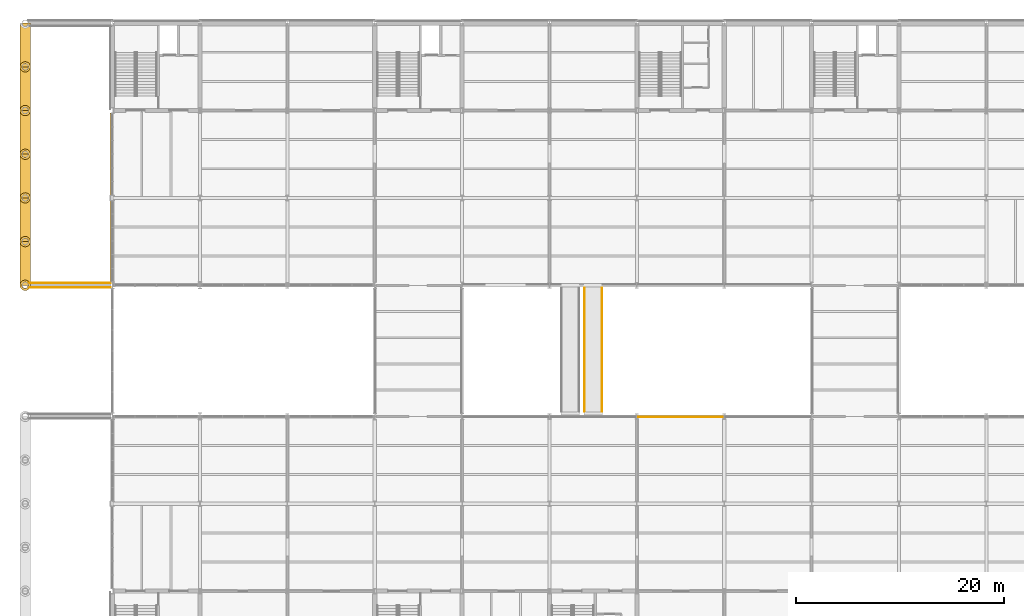
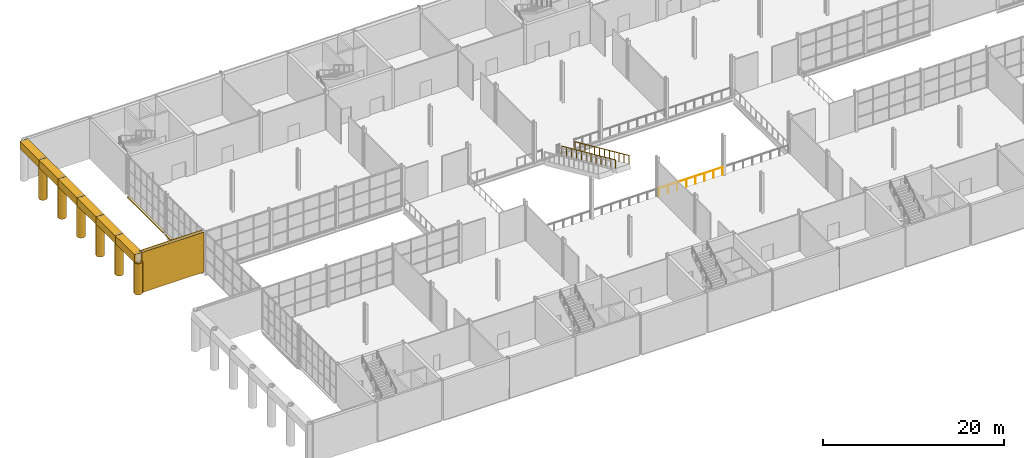
# One storey, part 50 of 64: 16 coverings, 3 railings.
"""IFC4 building model written with IfcOpenShell, lengths in metres."""

from ifc_helpers import new_model, si_unit, direction, frame, origin, origin_2d, place, context, subcontext, project, spatial, polyline, rectangle, circle, outline, extrude, material, layer, layer_set, type_object, element, save


model = new_model("IFC4")

# Units and contexts
model_context = context("Model", 3, precision=1e-05, world=origin(), true_north=direction((0.0, 1.0)))
body_context = subcontext(model_context, "Body", "Model", "MODEL_VIEW")
ifc_project = project(units=[si_unit("LENGTHUNIT", "METRE"), si_unit("AREAUNIT", "SQUARE_METRE"), si_unit("VOLUMEUNIT", "CUBIC_METRE"), si_unit("PLANEANGLEUNIT", "RADIAN"), si_unit("MASSUNIT", "GRAM", prefix="KILO")], contexts=[model_context])

# Site, building, storey
site_placement = place(None, origin())
site = spatial("IfcSite", under=ifc_project, at=site_placement, CompositionType="ELEMENT")
building_placement = place(site_placement, origin())
building = spatial("IfcBuilding", under=site, at=building_placement, Name="Galleria Vessillo Department Store", CompositionType="ELEMENT")
storey_placement = place(building_placement, frame((0.0, 0.0, 6.0)))
storey = spatial("IfcBuildingStorey", under=building, at=storey_placement, Name="L01", CompositionType="ELEMENT", Elevation=6.0)

# Railings
ifc_material_1 = material(Name="Stainless steel tube", Category="steel")
railing_type_1 = type_object("IfcRailingType", Name="Atrium edge guard 1100 mm", PredefinedType="GUARDRAIL", material=ifc_material_1)
railing_1_placement = place(storey_placement, frame((58.952880859375, 25.119873046875, 0.0)))
element("IfcRailing", 1, at=railing_1_placement, inside=storey, type_object=railing_type_1, Name="Atrium edge guard L01-03", PredefinedType="GUARDRAIL", context=body_context, shape_type="SweptSolid", body=[
    extrude(circle(Radius=0.02392578125, at=origin_2d()), frame((0.0, 0.0, 1.076171875), z_axis=(1.0, 0.0, 0.0), x_axis=(0.0, 1.0, 0.0)), (0.0, 0.0, 1.0), 8.09423828125),
    extrude(circle(Radius=0.02099609375, at=origin_2d()), origin(), (0.0, 0.0, 1.0), 1.052001953125),
    extrude(circle(Radius=0.02099609375, at=origin_2d()), frame((1.15625, 0.0, 0.0)), (0.0, 0.0, 1.0), 1.052001953125),
    extrude(circle(Radius=0.02099609375, at=origin_2d()), frame((2.312744140625, 0.0, 0.0)), (0.0, 0.0, 1.0), 1.052001953125),
    extrude(circle(Radius=0.02099609375, at=origin_2d()), frame((3.468994140625, 0.0, 0.0)), (0.0, 0.0, 1.0), 1.052001953125),
    extrude(circle(Radius=0.02099609375, at=origin_2d()), frame((4.625244140625, 0.0, 0.0)), (0.0, 0.0, 1.0), 1.052001953125),
    extrude(circle(Radius=0.02099609375, at=origin_2d()), frame((5.781494140625, 0.0, 0.0)), (0.0, 0.0, 1.0), 1.052001953125),
    extrude(circle(Radius=0.02099609375, at=origin_2d()), frame((6.93798828125, 0.0, 0.0)), (0.0, 0.0, 1.0), 1.052001953125),
    extrude(circle(Radius=0.02099609375, at=origin_2d()), frame((8.09423828125, 0.0, 0.0)), (0.0, 0.0, 1.0), 1.052001953125),
])
ifc_material_2 = material(Name="Glass laminated 44.2", Category="glass")
railing_type_2 = type_object("IfcRailingType", Name="Escalator balustrade glass 1150 mm", PredefinedType="BALUSTRADE", material=ifc_material_2)
railing_2_placement = place(storey_placement, frame((53.75, 37.558837890625, -0.120849609375)))
element("IfcRailing", 2, at=railing_2_placement, inside=storey, type_object=railing_type_2, Name="Escalator balustrade ES4 W", PredefinedType="BALUSTRADE", context=body_context, shape_type="SweptSolid", body=[
    extrude(circle(Radius=0.02392578125, at=origin_2d()), frame((0.0, 0.0, 1.1259765625), z_axis=(0.0, -0.911723525032, 0.410804349908), x_axis=(1.0, 0.0, 0.0)), (0.0, 0.0, 1.0), 13.0205078125),
    extrude(circle(Radius=0.02099609375, at=origin_2d()), origin(), (0.0, 0.0, 1.0), 1.101806640625),
    extrude(circle(Radius=0.02099609375, at=origin_2d()), frame((0.0, -1.0791015625, 0.486328125)), (0.0, 0.0, 1.0), 1.101806640625),
    extrude(circle(Radius=0.02099609375, at=origin_2d()), frame((0.0, -2.158447265625, 0.972412109375)), (0.0, 0.0, 1.0), 1.101806640625),
    extrude(circle(Radius=0.02099609375, at=origin_2d()), frame((0.0, -3.237548828125, 1.458740234375)), (0.0, 0.0, 1.0), 1.101806640625),
    extrude(circle(Radius=0.02099609375, at=origin_2d()), frame((0.0, -4.316650390625, 1.945068359375)), (0.0, 0.0, 1.0), 1.101806640625),
    extrude(circle(Radius=0.02099609375, at=origin_2d()), frame((0.0, -5.39599609375, 2.431396484375)), (0.0, 0.0, 1.0), 1.101806640625),
    extrude(circle(Radius=0.02099609375, at=origin_2d()), frame((0.0, -6.47509765625, 2.91748046875)), (0.0, 0.0, 1.0), 1.101806640625),
    extrude(circle(Radius=0.02099609375, at=origin_2d()), frame((0.0, -7.554443359375, 3.40380859375)), (0.0, 0.0, 1.0), 1.101806640625),
    extrude(circle(Radius=0.02099609375, at=origin_2d()), frame((0.0, -8.633544921875, 3.89013671875)), (0.0, 0.0, 1.0), 1.101806640625),
    extrude(circle(Radius=0.02099609375, at=origin_2d()), frame((0.0, -9.712646484375, 4.37646484375)), (0.0, 0.0, 1.0), 1.101806640625),
    extrude(circle(Radius=0.02099609375, at=origin_2d()), frame((0.0, -10.7919921875, 4.862548828125)), (0.0, 0.0, 1.0), 1.101806640625),
    extrude(circle(Radius=0.02099609375, at=origin_2d()), frame((0.0, -11.87109375, 5.348876953125)), (0.0, 0.0, 1.0), 1.101806640625),
])
railing_3_placement = place(storey_placement, frame((55.4501953125, 37.558837890625, -0.120849609375)))
element("IfcRailing", 3, at=railing_3_placement, inside=storey, type_object=railing_type_2, Name="Escalator balustrade ES4 E", PredefinedType="BALUSTRADE", context=body_context, shape_type="SweptSolid", body=[
    extrude(circle(Radius=0.02392578125, at=origin_2d()), frame((0.0, 0.0, 1.1259765625), z_axis=(0.0, -0.911723525032, 0.410804349908), x_axis=(1.0, 0.0, 0.0)), (0.0, 0.0, 1.0), 13.0205078125),
    extrude(circle(Radius=0.02099609375, at=origin_2d()), origin(), (0.0, 0.0, 1.0), 1.101806640625),
    extrude(circle(Radius=0.02099609375, at=origin_2d()), frame((0.0, -1.0791015625, 0.486328125)), (0.0, 0.0, 1.0), 1.101806640625),
    extrude(circle(Radius=0.02099609375, at=origin_2d()), frame((0.0, -2.158447265625, 0.972412109375)), (0.0, 0.0, 1.0), 1.101806640625),
    extrude(circle(Radius=0.02099609375, at=origin_2d()), frame((0.0, -3.237548828125, 1.458740234375)), (0.0, 0.0, 1.0), 1.101806640625),
    extrude(circle(Radius=0.02099609375, at=origin_2d()), frame((0.0, -4.316650390625, 1.945068359375)), (0.0, 0.0, 1.0), 1.101806640625),
    extrude(circle(Radius=0.02099609375, at=origin_2d()), frame((0.0, -5.39599609375, 2.431396484375)), (0.0, 0.0, 1.0), 1.101806640625),
    extrude(circle(Radius=0.02099609375, at=origin_2d()), frame((0.0, -6.47509765625, 2.91748046875)), (0.0, 0.0, 1.0), 1.101806640625),
    extrude(circle(Radius=0.02099609375, at=origin_2d()), frame((0.0, -7.554443359375, 3.40380859375)), (0.0, 0.0, 1.0), 1.101806640625),
    extrude(circle(Radius=0.02099609375, at=origin_2d()), frame((0.0, -8.633544921875, 3.89013671875)), (0.0, 0.0, 1.0), 1.101806640625),
    extrude(circle(Radius=0.02099609375, at=origin_2d()), frame((0.0, -9.712646484375, 4.37646484375)), (0.0, 0.0, 1.0), 1.101806640625),
    extrude(circle(Radius=0.02099609375, at=origin_2d()), frame((0.0, -10.7919921875, 4.862548828125)), (0.0, 0.0, 1.0), 1.101806640625),
    extrude(circle(Radius=0.02099609375, at=origin_2d()), frame((0.0, -11.87109375, 5.348876953125)), (0.0, 0.0, 1.0), 1.101806640625),
])

# Coverings
ifc_material_3 = material(Name="Botticino limestone ashlar", Category="masonry")
ifc_layer_1 = layer(ifc_material_3, 0.195068359375)
ifc_layer_set_1 = layer_set([ifc_layer_1], Name="Botticino limestone ashlar")
covering_type_1 = type_object("IfcCoveringType", Name="Limestone column drum cladding 1000 mm", PredefinedType="CLADDING", material=ifc_layer_set_1)
covering_1_placement = place(storey_placement, origin())
element("IfcCovering", 4, at=covering_1_placement, inside=storey, type_object=covering_type_1, Name="Column drum cladding L01 y=37.8", PredefinedType="CLADDING", context=body_context, shape_type="SweptSolid", body=[
    extrude(outline(polyline([(0.5, 37.800048828125), (0.49560546875, 37.865234375), (0.48291015625, 37.929443359375), (0.4619140625, 37.991455078125), (0.43310546875, 38.050048828125), (0.396728515625, 38.1044921875), (0.353515625, 38.153564453125), (0.304443359375, 38.19677734375), (0.25, 38.233154296875), (0.19140625, 38.261962890625), (0.12939453125, 38.282958984375), (0.065185546875, 38.295654296875), (0.0, 38.300048828125), (-0.065185546875, 38.295654296875), (-0.12939453125, 38.282958984375), (-0.19140625, 38.261962890625), (-0.25, 38.233154296875), (-0.304443359375, 38.19677734375), (-0.353515625, 38.153564453125), (-0.396728515625, 38.1044921875), (-0.43310546875, 38.050048828125), (-0.4619140625, 37.991455078125), (-0.48291015625, 37.929443359375), (-0.49560546875, 37.865234375), (-0.5, 37.800048828125), (-0.49560546875, 37.73486328125), (-0.48291015625, 37.670654296875), (-0.4619140625, 37.608642578125), (-0.43310546875, 37.550048828125), (-0.396728515625, 37.49560546875), (-0.353515625, 37.446533203125), (-0.304443359375, 37.4033203125), (-0.25, 37.366943359375), (-0.19140625, 37.338134765625), (-0.12939453125, 37.317138671875), (-0.065185546875, 37.304443359375), (0.0, 37.300048828125), (0.065185546875, 37.304443359375), (0.12939453125, 37.317138671875), (0.19140625, 37.338134765625), (0.25, 37.366943359375), (0.304443359375, 37.4033203125), (0.353515625, 37.446533203125), (0.396728515625, 37.49560546875), (0.43310546875, 37.550048828125), (0.4619140625, 37.608642578125), (0.48291015625, 37.670654296875), (0.49560546875, 37.73486328125), (0.5, 37.800048828125)]), holes=[polyline([(0.3056640625, 37.800048828125), (0.302978515625, 37.83984375), (0.295166015625, 37.879150390625), (0.282470703125, 37.9169921875), (0.2646484375, 37.952880859375), (0.242431640625, 37.986083984375), (0.216064453125, 38.01611328125), (0.18603515625, 38.04248046875), (0.15283203125, 38.064697265625), (0.116943359375, 38.08251953125), (0.0791015625, 38.09521484375), (0.039794921875, 38.10302734375), (0.0, 38.105712890625), (-0.039794921875, 38.10302734375), (-0.0791015625, 38.09521484375), (-0.116943359375, 38.08251953125), (-0.15283203125, 38.064697265625), (-0.18603515625, 38.04248046875), (-0.216064453125, 38.01611328125), (-0.242431640625, 37.986083984375), (-0.2646484375, 37.952880859375), (-0.282470703125, 37.9169921875), (-0.295166015625, 37.879150390625), (-0.302978515625, 37.83984375), (-0.3056640625, 37.800048828125), (-0.302978515625, 37.76025390625), (-0.295166015625, 37.720947265625), (-0.282470703125, 37.68310546875), (-0.2646484375, 37.647216796875), (-0.242431640625, 37.614013671875), (-0.216064453125, 37.583984375), (-0.18603515625, 37.5576171875), (-0.15283203125, 37.535400390625), (-0.116943359375, 37.517578125), (-0.0791015625, 37.5048828125), (-0.039794921875, 37.4970703125), (0.0, 37.494384765625), (0.039794921875, 37.4970703125), (0.0791015625, 37.5048828125), (0.116943359375, 37.517578125), (0.15283203125, 37.535400390625), (0.18603515625, 37.5576171875), (0.216064453125, 37.583984375), (0.242431640625, 37.614013671875), (0.2646484375, 37.647216796875), (0.282470703125, 37.68310546875), (0.295166015625, 37.720947265625), (0.302978515625, 37.76025390625), (0.3056640625, 37.800048828125)])]), origin(), (0.0, 0.0, 1.0), 4.199951171875),
])
covering_2_placement = place(storey_placement, origin())
element("IfcCovering", 5, at=covering_2_placement, inside=storey, type_object=covering_type_1, Name="Column drum cladding L01 y=42.0", PredefinedType="CLADDING", context=body_context, shape_type="SweptSolid", body=[
    extrude(outline(polyline([(0.5, 42.0), (0.49560546875, 42.065185546875), (0.48291015625, 42.12939453125), (0.4619140625, 42.19140625), (0.43310546875, 42.25), (0.396728515625, 42.304443359375), (0.353515625, 42.353515625), (0.304443359375, 42.396728515625), (0.25, 42.43310546875), (0.19140625, 42.4619140625), (0.12939453125, 42.48291015625), (0.065185546875, 42.49560546875), (0.0, 42.5), (-0.065185546875, 42.49560546875), (-0.12939453125, 42.48291015625), (-0.19140625, 42.4619140625), (-0.25, 42.43310546875), (-0.304443359375, 42.396728515625), (-0.353515625, 42.353515625), (-0.396728515625, 42.304443359375), (-0.43310546875, 42.25), (-0.4619140625, 42.19140625), (-0.48291015625, 42.12939453125), (-0.49560546875, 42.065185546875), (-0.5, 42.0), (-0.49560546875, 41.934814453125), (-0.48291015625, 41.87060546875), (-0.4619140625, 41.80859375), (-0.43310546875, 41.75), (-0.396728515625, 41.695556640625), (-0.353515625, 41.646484375), (-0.304443359375, 41.603271484375), (-0.25, 41.56689453125), (-0.19140625, 41.5380859375), (-0.12939453125, 41.51708984375), (-0.065185546875, 41.50439453125), (0.0, 41.5), (0.065185546875, 41.50439453125), (0.12939453125, 41.51708984375), (0.19140625, 41.5380859375), (0.25, 41.56689453125), (0.304443359375, 41.603271484375), (0.353515625, 41.646484375), (0.396728515625, 41.695556640625), (0.43310546875, 41.75), (0.4619140625, 41.80859375), (0.48291015625, 41.87060546875), (0.49560546875, 41.934814453125), (0.5, 42.0)]), holes=[polyline([(0.3056640625, 42.0), (0.302978515625, 42.039794921875), (0.295166015625, 42.0791015625), (0.282470703125, 42.116943359375), (0.2646484375, 42.15283203125), (0.242431640625, 42.18603515625), (0.216064453125, 42.216064453125), (0.18603515625, 42.242431640625), (0.15283203125, 42.2646484375), (0.116943359375, 42.282470703125), (0.0791015625, 42.295166015625), (0.039794921875, 42.302978515625), (0.0, 42.3056640625), (-0.039794921875, 42.302978515625), (-0.0791015625, 42.295166015625), (-0.116943359375, 42.282470703125), (-0.15283203125, 42.2646484375), (-0.18603515625, 42.242431640625), (-0.216064453125, 42.216064453125), (-0.242431640625, 42.18603515625), (-0.2646484375, 42.15283203125), (-0.282470703125, 42.116943359375), (-0.295166015625, 42.0791015625), (-0.302978515625, 42.039794921875), (-0.3056640625, 42.0), (-0.302978515625, 41.960205078125), (-0.295166015625, 41.9208984375), (-0.282470703125, 41.883056640625), (-0.2646484375, 41.84716796875), (-0.242431640625, 41.81396484375), (-0.216064453125, 41.783935546875), (-0.18603515625, 41.757568359375), (-0.15283203125, 41.7353515625), (-0.116943359375, 41.717529296875), (-0.0791015625, 41.704833984375), (-0.039794921875, 41.697021484375), (0.0, 41.6943359375), (0.039794921875, 41.697021484375), (0.0791015625, 41.704833984375), (0.116943359375, 41.717529296875), (0.15283203125, 41.7353515625), (0.18603515625, 41.757568359375), (0.216064453125, 41.783935546875), (0.242431640625, 41.81396484375), (0.2646484375, 41.84716796875), (0.282470703125, 41.883056640625), (0.295166015625, 41.9208984375), (0.302978515625, 41.960205078125), (0.3056640625, 42.0)])]), origin(), (0.0, 0.0, 1.0), 4.199951171875),
])
covering_3_placement = place(storey_placement, origin())
element("IfcCovering", 6, at=covering_3_placement, inside=storey, type_object=covering_type_1, Name="Column drum cladding L01 y=46.2", PredefinedType="CLADDING", context=body_context, shape_type="SweptSolid", body=[
    extrude(outline(polyline([(0.5, 46.199951171875), (0.49560546875, 46.26513671875), (0.48291015625, 46.329345703125), (0.4619140625, 46.391357421875), (0.43310546875, 46.449951171875), (0.396728515625, 46.50439453125), (0.353515625, 46.553466796875), (0.304443359375, 46.5966796875), (0.25, 46.633056640625), (0.19140625, 46.661865234375), (0.12939453125, 46.682861328125), (0.065185546875, 46.695556640625), (0.0, 46.699951171875), (-0.065185546875, 46.695556640625), (-0.12939453125, 46.682861328125), (-0.19140625, 46.661865234375), (-0.25, 46.633056640625), (-0.304443359375, 46.5966796875), (-0.353515625, 46.553466796875), (-0.396728515625, 46.50439453125), (-0.43310546875, 46.449951171875), (-0.4619140625, 46.391357421875), (-0.48291015625, 46.329345703125), (-0.49560546875, 46.26513671875), (-0.5, 46.199951171875), (-0.49560546875, 46.134765625), (-0.48291015625, 46.070556640625), (-0.4619140625, 46.008544921875), (-0.43310546875, 45.949951171875), (-0.396728515625, 45.8955078125), (-0.353515625, 45.846435546875), (-0.304443359375, 45.80322265625), (-0.25, 45.766845703125), (-0.19140625, 45.738037109375), (-0.12939453125, 45.717041015625), (-0.065185546875, 45.704345703125), (0.0, 45.699951171875), (0.065185546875, 45.704345703125), (0.12939453125, 45.717041015625), (0.19140625, 45.738037109375), (0.25, 45.766845703125), (0.304443359375, 45.80322265625), (0.353515625, 45.846435546875), (0.396728515625, 45.8955078125), (0.43310546875, 45.949951171875), (0.4619140625, 46.008544921875), (0.48291015625, 46.070556640625), (0.49560546875, 46.134765625), (0.5, 46.199951171875)]), holes=[polyline([(0.3056640625, 46.199951171875), (0.302978515625, 46.23974609375), (0.295166015625, 46.279052734375), (0.282470703125, 46.31689453125), (0.2646484375, 46.352783203125), (0.242431640625, 46.385986328125), (0.216064453125, 46.416015625), (0.18603515625, 46.4423828125), (0.15283203125, 46.464599609375), (0.116943359375, 46.482421875), (0.0791015625, 46.4951171875), (0.039794921875, 46.5029296875), (0.0, 46.505615234375), (-0.039794921875, 46.5029296875), (-0.0791015625, 46.4951171875), (-0.116943359375, 46.482421875), (-0.15283203125, 46.464599609375), (-0.18603515625, 46.4423828125), (-0.216064453125, 46.416015625), (-0.242431640625, 46.385986328125), (-0.2646484375, 46.352783203125), (-0.282470703125, 46.31689453125), (-0.295166015625, 46.279052734375), (-0.302978515625, 46.23974609375), (-0.3056640625, 46.199951171875), (-0.302978515625, 46.16015625), (-0.295166015625, 46.120849609375), (-0.282470703125, 46.0830078125), (-0.2646484375, 46.047119140625), (-0.242431640625, 46.013916015625), (-0.216064453125, 45.98388671875), (-0.18603515625, 45.95751953125), (-0.15283203125, 45.935302734375), (-0.116943359375, 45.91748046875), (-0.0791015625, 45.90478515625), (-0.039794921875, 45.89697265625), (0.0, 45.894287109375), (0.039794921875, 45.89697265625), (0.0791015625, 45.90478515625), (0.116943359375, 45.91748046875), (0.15283203125, 45.935302734375), (0.18603515625, 45.95751953125), (0.216064453125, 45.98388671875), (0.242431640625, 46.013916015625), (0.2646484375, 46.047119140625), (0.282470703125, 46.0830078125), (0.295166015625, 46.120849609375), (0.302978515625, 46.16015625), (0.3056640625, 46.199951171875)])]), origin(), (0.0, 0.0, 1.0), 4.199951171875),
])
covering_4_placement = place(storey_placement, origin())
element("IfcCovering", 7, at=covering_4_placement, inside=storey, type_object=covering_type_1, Name="Column drum cladding L01 y=50.4", PredefinedType="CLADDING", context=body_context, shape_type="SweptSolid", body=[
    extrude(outline(polyline([(0.5, 50.39990234375), (0.49560546875, 50.465087890625), (0.48291015625, 50.529296875), (0.4619140625, 50.59130859375), (0.43310546875, 50.64990234375), (0.396728515625, 50.704345703125), (0.353515625, 50.75341796875), (0.304443359375, 50.796630859375), (0.25, 50.8330078125), (0.19140625, 50.86181640625), (0.12939453125, 50.8828125), (0.065185546875, 50.8955078125), (0.0, 50.89990234375), (-0.065185546875, 50.8955078125), (-0.12939453125, 50.8828125), (-0.19140625, 50.86181640625), (-0.25, 50.8330078125), (-0.304443359375, 50.796630859375), (-0.353515625, 50.75341796875), (-0.396728515625, 50.704345703125), (-0.43310546875, 50.64990234375), (-0.4619140625, 50.59130859375), (-0.48291015625, 50.529296875), (-0.49560546875, 50.465087890625), (-0.5, 50.39990234375), (-0.49560546875, 50.334716796875), (-0.48291015625, 50.2705078125), (-0.4619140625, 50.20849609375), (-0.43310546875, 50.14990234375), (-0.396728515625, 50.095458984375), (-0.353515625, 50.04638671875), (-0.304443359375, 50.003173828125), (-0.25, 49.966796875), (-0.19140625, 49.93798828125), (-0.12939453125, 49.9169921875), (-0.065185546875, 49.904296875), (0.0, 49.89990234375), (0.065185546875, 49.904296875), (0.12939453125, 49.9169921875), (0.19140625, 49.93798828125), (0.25, 49.966796875), (0.304443359375, 50.003173828125), (0.353515625, 50.04638671875), (0.396728515625, 50.095458984375), (0.43310546875, 50.14990234375), (0.4619140625, 50.20849609375), (0.48291015625, 50.2705078125), (0.49560546875, 50.334716796875), (0.5, 50.39990234375)]), holes=[polyline([(0.3056640625, 50.39990234375), (0.302978515625, 50.439697265625), (0.295166015625, 50.47900390625), (0.282470703125, 50.516845703125), (0.2646484375, 50.552734375), (0.242431640625, 50.5859375), (0.216064453125, 50.615966796875), (0.18603515625, 50.642333984375), (0.15283203125, 50.66455078125), (0.116943359375, 50.682373046875), (0.0791015625, 50.695068359375), (0.039794921875, 50.702880859375), (0.0, 50.70556640625), (-0.039794921875, 50.702880859375), (-0.0791015625, 50.695068359375), (-0.116943359375, 50.682373046875), (-0.15283203125, 50.66455078125), (-0.18603515625, 50.642333984375), (-0.216064453125, 50.615966796875), (-0.242431640625, 50.5859375), (-0.2646484375, 50.552734375), (-0.282470703125, 50.516845703125), (-0.295166015625, 50.47900390625), (-0.302978515625, 50.439697265625), (-0.3056640625, 50.39990234375), (-0.302978515625, 50.360107421875), (-0.295166015625, 50.32080078125), (-0.282470703125, 50.282958984375), (-0.2646484375, 50.2470703125), (-0.242431640625, 50.2138671875), (-0.216064453125, 50.183837890625), (-0.18603515625, 50.157470703125), (-0.15283203125, 50.13525390625), (-0.116943359375, 50.117431640625), (-0.0791015625, 50.104736328125), (-0.039794921875, 50.096923828125), (0.0, 50.09423828125), (0.039794921875, 50.096923828125), (0.0791015625, 50.104736328125), (0.116943359375, 50.117431640625), (0.15283203125, 50.13525390625), (0.18603515625, 50.157470703125), (0.216064453125, 50.183837890625), (0.242431640625, 50.2138671875), (0.2646484375, 50.2470703125), (0.282470703125, 50.282958984375), (0.295166015625, 50.32080078125), (0.302978515625, 50.360107421875), (0.3056640625, 50.39990234375)])]), origin(), (0.0, 0.0, 1.0), 4.199951171875),
])
covering_5_placement = place(storey_placement, origin())
element("IfcCovering", 8, at=covering_5_placement, inside=storey, type_object=covering_type_1, Name="Column drum cladding L01 y=54.6", PredefinedType="CLADDING", context=body_context, shape_type="SweptSolid", body=[
    extrude(outline(polyline([(0.5, 54.60009765625), (0.49560546875, 54.665283203125), (0.48291015625, 54.7294921875), (0.4619140625, 54.79150390625), (0.43310546875, 54.85009765625), (0.396728515625, 54.904541015625), (0.353515625, 54.95361328125), (0.304443359375, 54.996826171875), (0.25, 55.033203125), (0.19140625, 55.06201171875), (0.12939453125, 55.0830078125), (0.065185546875, 55.095703125), (0.0, 55.10009765625), (-0.065185546875, 55.095703125), (-0.12939453125, 55.0830078125), (-0.19140625, 55.06201171875), (-0.25, 55.033203125), (-0.304443359375, 54.996826171875), (-0.353515625, 54.95361328125), (-0.396728515625, 54.904541015625), (-0.43310546875, 54.85009765625), (-0.4619140625, 54.79150390625), (-0.48291015625, 54.7294921875), (-0.49560546875, 54.665283203125), (-0.5, 54.60009765625), (-0.49560546875, 54.534912109375), (-0.48291015625, 54.470703125), (-0.4619140625, 54.40869140625), (-0.43310546875, 54.35009765625), (-0.396728515625, 54.295654296875), (-0.353515625, 54.24658203125), (-0.304443359375, 54.203369140625), (-0.25, 54.1669921875), (-0.19140625, 54.13818359375), (-0.12939453125, 54.1171875), (-0.065185546875, 54.1044921875), (0.0, 54.10009765625), (0.065185546875, 54.1044921875), (0.12939453125, 54.1171875), (0.19140625, 54.13818359375), (0.25, 54.1669921875), (0.304443359375, 54.203369140625), (0.353515625, 54.24658203125), (0.396728515625, 54.295654296875), (0.43310546875, 54.35009765625), (0.4619140625, 54.40869140625), (0.48291015625, 54.470703125), (0.49560546875, 54.534912109375), (0.5, 54.60009765625)]), holes=[polyline([(0.3056640625, 54.60009765625), (0.302978515625, 54.639892578125), (0.295166015625, 54.67919921875), (0.282470703125, 54.717041015625), (0.2646484375, 54.7529296875), (0.242431640625, 54.7861328125), (0.216064453125, 54.816162109375), (0.18603515625, 54.842529296875), (0.15283203125, 54.86474609375), (0.116943359375, 54.882568359375), (0.0791015625, 54.895263671875), (0.039794921875, 54.903076171875), (0.0, 54.90576171875), (-0.039794921875, 54.903076171875), (-0.0791015625, 54.895263671875), (-0.116943359375, 54.882568359375), (-0.15283203125, 54.86474609375), (-0.18603515625, 54.842529296875), (-0.216064453125, 54.816162109375), (-0.242431640625, 54.7861328125), (-0.2646484375, 54.7529296875), (-0.282470703125, 54.717041015625), (-0.295166015625, 54.67919921875), (-0.302978515625, 54.639892578125), (-0.3056640625, 54.60009765625), (-0.302978515625, 54.560302734375), (-0.295166015625, 54.52099609375), (-0.282470703125, 54.483154296875), (-0.2646484375, 54.447265625), (-0.242431640625, 54.4140625), (-0.216064453125, 54.384033203125), (-0.18603515625, 54.357666015625), (-0.15283203125, 54.33544921875), (-0.116943359375, 54.317626953125), (-0.0791015625, 54.304931640625), (-0.039794921875, 54.297119140625), (0.0, 54.29443359375), (0.039794921875, 54.297119140625), (0.0791015625, 54.304931640625), (0.116943359375, 54.317626953125), (0.15283203125, 54.33544921875), (0.18603515625, 54.357666015625), (0.216064453125, 54.384033203125), (0.242431640625, 54.4140625), (0.2646484375, 54.447265625), (0.282470703125, 54.483154296875), (0.295166015625, 54.52099609375), (0.302978515625, 54.560302734375), (0.3056640625, 54.60009765625)])]), origin(), (0.0, 0.0, 1.0), 4.199951171875),
])
covering_6_placement = place(storey_placement, origin())
element("IfcCovering", 9, at=covering_6_placement, inside=storey, type_object=covering_type_1, Name="Column drum cladding L01 y=58.8", PredefinedType="CLADDING", context=body_context, shape_type="SweptSolid", body=[
    extrude(outline(polyline([(0.5, 58.800048828125), (0.49560546875, 58.865234375), (0.48291015625, 58.929443359375), (0.4619140625, 58.991455078125), (0.43310546875, 59.050048828125), (0.396728515625, 59.1044921875), (0.353515625, 59.153564453125), (0.304443359375, 59.19677734375), (0.25, 59.233154296875), (0.19140625, 59.261962890625), (0.12939453125, 59.282958984375), (0.065185546875, 59.295654296875), (0.0, 59.300048828125), (-0.065185546875, 59.295654296875), (-0.12939453125, 59.282958984375), (-0.19140625, 59.261962890625), (-0.25, 59.233154296875), (-0.304443359375, 59.19677734375), (-0.353515625, 59.153564453125), (-0.396728515625, 59.1044921875), (-0.43310546875, 59.050048828125), (-0.4619140625, 58.991455078125), (-0.48291015625, 58.929443359375), (-0.49560546875, 58.865234375), (-0.5, 58.800048828125), (-0.49560546875, 58.73486328125), (-0.48291015625, 58.670654296875), (-0.4619140625, 58.608642578125), (-0.43310546875, 58.550048828125), (-0.396728515625, 58.49560546875), (-0.353515625, 58.446533203125), (-0.304443359375, 58.4033203125), (-0.25, 58.366943359375), (-0.19140625, 58.338134765625), (-0.12939453125, 58.317138671875), (-0.065185546875, 58.304443359375), (0.0, 58.300048828125), (0.065185546875, 58.304443359375), (0.12939453125, 58.317138671875), (0.19140625, 58.338134765625), (0.25, 58.366943359375), (0.304443359375, 58.4033203125), (0.353515625, 58.446533203125), (0.396728515625, 58.49560546875), (0.43310546875, 58.550048828125), (0.4619140625, 58.608642578125), (0.48291015625, 58.670654296875), (0.49560546875, 58.73486328125), (0.5, 58.800048828125)]), holes=[polyline([(0.3056640625, 58.800048828125), (0.302978515625, 58.83984375), (0.295166015625, 58.879150390625), (0.282470703125, 58.9169921875), (0.2646484375, 58.952880859375), (0.242431640625, 58.986083984375), (0.216064453125, 59.01611328125), (0.18603515625, 59.04248046875), (0.15283203125, 59.064697265625), (0.116943359375, 59.08251953125), (0.0791015625, 59.09521484375), (0.039794921875, 59.10302734375), (0.0, 59.105712890625), (-0.039794921875, 59.10302734375), (-0.0791015625, 59.09521484375), (-0.116943359375, 59.08251953125), (-0.15283203125, 59.064697265625), (-0.18603515625, 59.04248046875), (-0.216064453125, 59.01611328125), (-0.242431640625, 58.986083984375), (-0.2646484375, 58.952880859375), (-0.282470703125, 58.9169921875), (-0.295166015625, 58.879150390625), (-0.302978515625, 58.83984375), (-0.3056640625, 58.800048828125), (-0.302978515625, 58.76025390625), (-0.295166015625, 58.720947265625), (-0.282470703125, 58.68310546875), (-0.2646484375, 58.647216796875), (-0.242431640625, 58.614013671875), (-0.216064453125, 58.583984375), (-0.18603515625, 58.5576171875), (-0.15283203125, 58.535400390625), (-0.116943359375, 58.517578125), (-0.0791015625, 58.5048828125), (-0.039794921875, 58.4970703125), (0.0, 58.494384765625), (0.039794921875, 58.4970703125), (0.0791015625, 58.5048828125), (0.116943359375, 58.517578125), (0.15283203125, 58.535400390625), (0.18603515625, 58.5576171875), (0.216064453125, 58.583984375), (0.242431640625, 58.614013671875), (0.2646484375, 58.647216796875), (0.282470703125, 58.68310546875), (0.295166015625, 58.720947265625), (0.302978515625, 58.76025390625), (0.3056640625, 58.800048828125)])]), origin(), (0.0, 0.0, 1.0), 4.199951171875),
])
ifc_material_4 = material(Name="Botticino limestone ashlar", Category="masonry")
ifc_layer_2 = layer(ifc_material_4, 1.0)
ifc_layer_set_2 = layer_set([ifc_layer_2], Name="Botticino limestone ashlar")
covering_type_2 = type_object("IfcCoveringType", Name="Limestone entablature 1000 x 1050", PredefinedType="MOLDING", material=ifc_layer_set_2)
for number, where, z_axis, x_axis, name in (
    (10, (0.0, 39.89990234375, 4.2001953125), (0.0, 0.0, 1.0), (1.0, 0.0, 0.0), "Colonnade entablature y=37.8-42.0"),
    (11, (0.0, 44.10009765625, 4.2001953125), (0.0, 0.0, 1.0), (1.0, 0.0, 0.0), "Colonnade entablature y=42.0-46.2"),
    (12, (0.0, 48.300048828125, 4.2001953125), (0.0, 0.0, 1.0), (1.0, 0.0, 0.0), "Colonnade entablature y=46.2-50.4"),
):
    element("IfcCovering", number, at=place(storey_placement, frame(where, z_axis=z_axis, x_axis=x_axis)), inside=storey, type_object=covering_type_2, Name=name, PredefinedType="MOLDING", context=body_context, shape_type="SweptSolid", body=[
        extrude(rectangle(XDim=1.0, YDim=4.199951171875, at=origin_2d()), origin(), (0.0, 0.0, 1.0), 1.050048828125),
    ])
covering_7_placement = place(storey_placement, frame((0.0, 52.5, 4.2001953125), z_axis=(0.0, 0.0, 1.0), x_axis=(1.0, 0.0, 0.0)))
element("IfcCovering", 13, at=covering_7_placement, inside=storey, type_object=covering_type_2, Name="Colonnade entablature y=50.4-54.6", PredefinedType="MOLDING", context=body_context, shape_type="SweptSolid", body=[
    extrude(rectangle(XDim=1.0, YDim=4.2001953125, at=origin_2d()), origin(), (0.0, 0.0, 1.0), 1.050048828125),
])
for number, where, z_axis, x_axis, name in (
    (14, (0.0, 56.699951171875, 4.2001953125), (0.0, 0.0, 1.0), (1.0, 0.0, 0.0), "Colonnade entablature y=54.6-58.8"),
    (15, (0.0, 60.89990234375, 4.2001953125), (0.0, 0.0, 1.0), (1.0, 0.0, 0.0), "Colonnade entablature y=58.8-63.0"),
):
    element("IfcCovering", number, at=place(storey_placement, frame(where, z_axis=z_axis, x_axis=x_axis)), inside=storey, type_object=covering_type_2, Name=name, PredefinedType="MOLDING", context=body_context, shape_type="SweptSolid", body=[
        extrude(rectangle(XDim=1.0, YDim=4.199951171875, at=origin_2d()), origin(), (0.0, 0.0, 1.0), 1.050048828125),
    ])
ifc_material_5 = material(Name="Botticino limestone ashlar", Category="masonry")
ifc_layer_3 = layer(ifc_material_5, 0.050048828125)
ifc_layer_set_3 = layer_set([ifc_layer_3], Name="Botticino limestone ashlar")
covering_type_3 = type_object("IfcCoveringType", Name="Limestone portal reveal cladding 50 mm", PredefinedType="CLADDING", material=ifc_layer_set_3)
for number, where, z_axis, x_axis, name in (
    (16, (4.276123046875, 37.574951171875, 0.0), (0.0, 0.0, 1.0), (1.0, 0.0, 0.0), "Portal reveal cladding PW-N-L01-01 a"),
    (17, (4.276123046875, 38.025146484375, 0.0), (0.0, 0.0, 1.0), (1.0, 0.0, 0.0), "Portal reveal cladding PW-N-L01-01 b"),
):
    element("IfcCovering", number, at=place(storey_placement, frame(where, z_axis=z_axis, x_axis=x_axis)), inside=storey, type_object=covering_type_3, Name=name, PredefinedType="CLADDING", context=body_context, shape_type="SweptSolid", body=[
        extrude(rectangle(XDim=7.9423828125, YDim=0.050048828125, at=origin_2d()), origin(), (0.0, 0.0, 1.0), 5.39990234375),
    ])
ifc_material_6 = material(Name="Botticino limestone ashlar", Category="masonry")
ifc_layer_4 = layer(ifc_material_6, 0.14990234375)
ifc_layer_set_4 = layer_set([ifc_layer_4], Name="Botticino limestone ashlar")
covering_type_4 = type_object("IfcCoveringType", Name="Limestone slab-edge fascia 150 mm", PredefinedType="CLADDING", material=ifc_layer_set_4)
covering_8_placement = place(storey_placement, frame((8.27490234375, 42.0419921875, -0.14990234375), z_axis=(0.0, 0.0, 1.0), x_axis=(1.0, 0.0, 0.0)))
element("IfcCovering", 18, at=covering_8_placement, inside=storey, type_object=covering_type_4, Name="Slab-edge fascia LB-N-L00-01", PredefinedType="CLADDING", context=body_context, shape_type="SweptSolid", body=[
    extrude(rectangle(XDim=0.25, YDim=7.81591796875, at=origin_2d()), origin(), (0.0, 0.0, 1.0), 0.14990234375),
])
covering_9_placement = place(storey_placement, frame((8.27490234375, 50.39990234375, -0.14990234375), z_axis=(0.0, 0.0, 1.0), x_axis=(1.0, 0.0, 0.0)))
element("IfcCovering", 19, at=covering_9_placement, inside=storey, type_object=covering_type_4, Name="Slab-edge fascia LB-N-L00-02", PredefinedType="CLADDING", context=body_context, shape_type="SweptSolid", body=[
    extrude(rectangle(XDim=0.25, YDim=7.900146484375, at=origin_2d()), origin(), (0.0, 0.0, 1.0), 0.14990234375),
])

save(model, "model.ifc")
